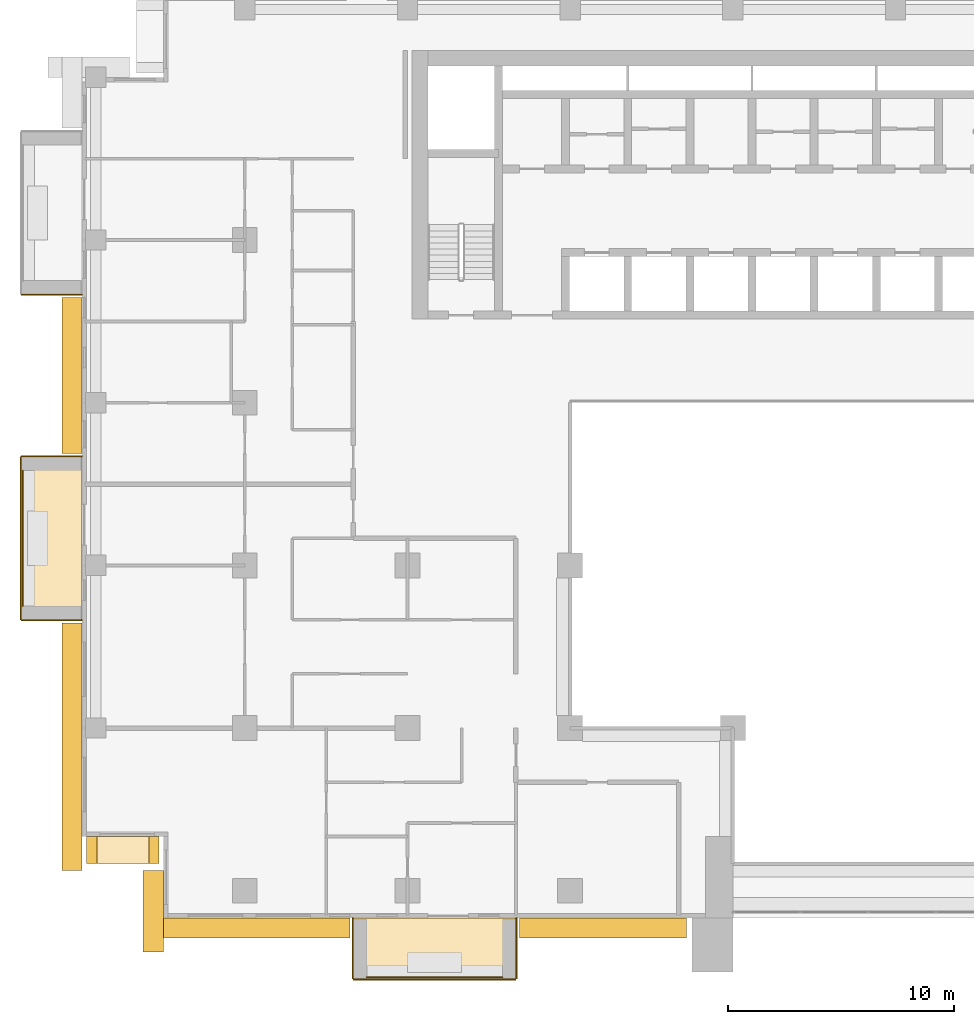
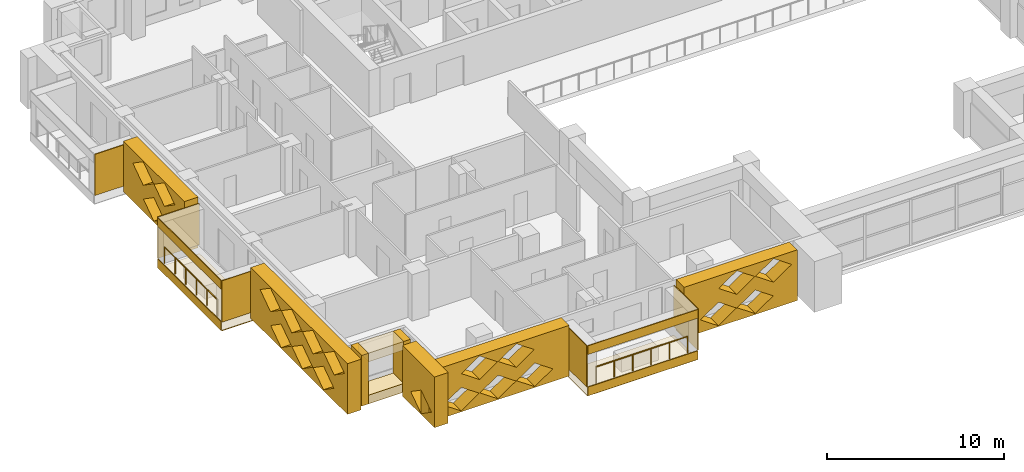
# One storey, part 14 of 20: 20 coverings, 2 railings.
"""IFC4 building model written with IfcOpenShell, lengths in metres."""

from ifc_helpers import new_model, si_unit, direction, frame, origin, origin_2d, place, context, subcontext, project, spatial, polyline, circle, outline, extrude, material, layer, layer_set, type_object, element, save


model = new_model("IFC4")

# Units and contexts
model_context = context("Model", 3, precision=1e-05, world=origin(), true_north=direction((0.0, 1.0)))
body_context = subcontext(model_context, "Body", "Model", "MODEL_VIEW")
ifc_project = project(units=[si_unit("LENGTHUNIT", "METRE"), si_unit("AREAUNIT", "SQUARE_METRE"), si_unit("VOLUMEUNIT", "CUBIC_METRE"), si_unit("PLANEANGLEUNIT", "RADIAN"), si_unit("MASSUNIT", "GRAM", prefix="KILO")], contexts=[model_context])

# Site, building, storey
site_placement = place(None, origin())
site = spatial("IfcSite", under=ifc_project, at=site_placement, CompositionType="ELEMENT")
building_placement = place(site_placement, origin())
building = spatial("IfcBuilding", under=site, at=building_placement, Name="Saffron Iwan Residences", CompositionType="ELEMENT")
storey_placement = place(building_placement, frame((0.0, 0.0, 123.5)))
storey = spatial("IfcBuildingStorey", under=building, at=storey_placement, Name="L32", CompositionType="ELEMENT", Elevation=123.5)

# Railings
ifc_material_1 = material(Name="Stainless steel 316", Category="steel")
railing_type = type_object("IfcRailingType", Name="BALCONY GUARD 1150", PredefinedType="GUARDRAIL", material=ifc_material_1)
railing_1_placement = place(storey_placement, frame((11.77490234375, 59.39990234375, 0.0)))
element("IfcRailing", 1, at=railing_1_placement, inside=storey, type_object=railing_type, Name="Balcony guard L32 F8-1", PredefinedType="GUARDRAIL", context=body_context, shape_type="SweptSolid", body=[
    extrude(circle(Radius=0.02392578125, at=origin_2d()), frame((0.0, 0.0, 1.1259765625), z_axis=(0.0, -1.0, 0.0), x_axis=(1.0, 0.0, 0.0)), (0.0, 0.0, 1.0), 6.0),
    extrude(circle(Radius=0.02099609375, at=origin_2d()), origin(), (0.0, 0.0, 1.0), 1.101806640625),
    extrude(circle(Radius=0.02099609375, at=origin_2d()), frame((0.0, -1.199951171875, 0.0)), (0.0, 0.0, 1.0), 1.101806640625),
    extrude(circle(Radius=0.02099609375, at=origin_2d()), frame((0.0, -2.39990234375, 0.0)), (0.0, 0.0, 1.0), 1.101806640625),
    extrude(circle(Radius=0.02099609375, at=origin_2d()), frame((0.0, -3.60009765625, 0.0)), (0.0, 0.0, 1.0), 1.101806640625),
    extrude(circle(Radius=0.02099609375, at=origin_2d()), frame((0.0, -4.800048828125, 0.0)), (0.0, 0.0, 1.0), 1.101806640625),
    extrude(circle(Radius=0.02099609375, at=origin_2d()), frame((0.0, -6.0, 0.0)), (0.0, 0.0, 1.0), 1.101806640625),
])
railing_2_placement = place(storey_placement, frame((27.0, 36.97509765625, 0.0)))
element("IfcRailing", 2, at=railing_2_placement, inside=storey, type_object=railing_type, Name="Balcony guard L32 11-0", PredefinedType="GUARDRAIL", context=body_context, shape_type="SweptSolid", body=[
    extrude(circle(Radius=0.02392578125, at=origin_2d()), frame((0.0, 0.0, 1.1259765625), z_axis=(1.0, 0.0, 0.0), x_axis=(0.0, 1.0, 0.0)), (0.0, 0.0, 1.0), 6.0),
    extrude(circle(Radius=0.02099609375, at=origin_2d()), origin(), (0.0, 0.0, 1.0), 1.101806640625),
    extrude(circle(Radius=0.02099609375, at=origin_2d()), frame((1.199951171875, 0.0, 0.0)), (0.0, 0.0, 1.0), 1.101806640625),
    extrude(circle(Radius=0.02099609375, at=origin_2d()), frame((2.39990234375, 0.0, 0.0)), (0.0, 0.0, 1.0), 1.101806640625),
    extrude(circle(Radius=0.02099609375, at=origin_2d()), frame((3.60009765625, 0.0, 0.0)), (0.0, 0.0, 1.0), 1.101806640625),
    extrude(circle(Radius=0.02099609375, at=origin_2d()), frame((4.800048828125, 0.0, 0.0)), (0.0, 0.0, 1.0), 1.101806640625),
    extrude(circle(Radius=0.02099609375, at=origin_2d()), frame((6.0, 0.0, 0.0)), (0.0, 0.0, 1.0), 1.101806640625),
])

# Coverings
ifc_material_2 = material(Name="Precast concrete C40/50 white painted", Category="concrete")
ifc_layer = layer(ifc_material_2, 0.050048828125)
ifc_layer_set = layer_set([ifc_layer], Name="Precast concrete C40/50 white painted")
covering_type_1 = type_object("IfcCoveringType", Name="FRAME SKIN PRECAST WHITE 50", PredefinedType="CLADDING", material=ifc_layer_set)
covering_1_placement = place(storey_placement, origin())
element("IfcCovering", 3, at=covering_1_placement, inside=storey, type_object=covering_type_1, Name="Frame skin fin L32 F8-0b", PredefinedType="CLADDING", context=body_context, shape_type="SweptSolid", body=[
    extrude(outline(polyline([(11.699951171875, 67.199951171875), (11.699951171875, 67.14990234375), (14.39990234375, 67.14990234375), (14.39990234375, 67.199951171875), (11.699951171875, 67.199951171875)])), origin(), (0.0, 0.0, 1.0), 2.85009765625),
])
for number, where, name in (
    (4, (0.0, 0.0, -0.60009765625), "Frame skin slab edge L32 F8-1"),
    (5, (0.0, 0.0, 2.25), "Frame skin fascia L32 F8-1"),
):
    element("IfcCovering", number, at=place(storey_placement, frame(where)), inside=storey, type_object=covering_type_1, Name=name, PredefinedType="CLADDING", context=body_context, shape_type="SweptSolid", body=[
        extrude(outline(polyline([(11.64990234375, 60.0), (11.64990234375, 52.800048828125), (11.699951171875, 52.800048828125), (11.699951171875, 60.0), (11.64990234375, 60.0)])), origin(), (0.0, 0.0, 1.0), 0.60009765625),
    ])
covering_2_placement = place(storey_placement, frame((0.0, 0.0, -0.64990234375)))
element("IfcCovering", 6, at=covering_2_placement, inside=storey, type_object=covering_type_1, Name="Frame skin soffit L32 F8-1", PredefinedType="CLADDING", context=body_context, shape_type="SweptSolid", body=[
    extrude(outline(polyline([(11.699951171875, 60.0), (11.699951171875, 52.800048828125), (14.39990234375, 52.800048828125), (14.39990234375, 60.0), (11.699951171875, 60.0)])), origin(), (0.0, 0.0, 1.0), 0.0498046875),
])
covering_3_placement = place(storey_placement, origin())
element("IfcCovering", 7, at=covering_3_placement, inside=storey, type_object=covering_type_1, Name="Frame skin fin L32 F8-1a", PredefinedType="CLADDING", context=body_context, shape_type="SweptSolid", body=[
    extrude(outline(polyline([(11.699951171875, 60.050048828125), (11.699951171875, 60.0), (14.39990234375, 60.0), (14.39990234375, 60.050048828125), (11.699951171875, 60.050048828125)])), origin(), (0.0, 0.0, 1.0), 2.85009765625),
])
covering_4_placement = place(storey_placement, origin())
element("IfcCovering", 8, at=covering_4_placement, inside=storey, type_object=covering_type_1, Name="Frame skin fin L32 F8-1b", PredefinedType="CLADDING", context=body_context, shape_type="SweptSolid", body=[
    extrude(outline(polyline([(11.699951171875, 52.800048828125), (11.699951171875, 52.75), (14.39990234375, 52.75), (14.39990234375, 52.800048828125), (11.699951171875, 52.800048828125)])), origin(), (0.0, 0.0, 1.0), 2.85009765625),
])
for number, where, name in (
    (9, (0.0, 0.0, -0.60009765625), "Frame skin slab edge L32 11-0"),
    (10, (0.0, 0.0, 2.25), "Frame skin fascia L32 11-0"),
):
    element("IfcCovering", number, at=place(storey_placement, frame(where)), inside=storey, type_object=covering_type_1, Name=name, PredefinedType="CLADDING", context=body_context, shape_type="SweptSolid", body=[
        extrude(outline(polyline([(26.39990234375, 36.85009765625), (33.60009765625, 36.85009765625), (33.60009765625, 36.89990234375), (26.39990234375, 36.89990234375), (26.39990234375, 36.85009765625)])), origin(), (0.0, 0.0, 1.0), 0.60009765625),
    ])
covering_5_placement = place(storey_placement, frame((0.0, 0.0, -0.64990234375)))
element("IfcCovering", 11, at=covering_5_placement, inside=storey, type_object=covering_type_1, Name="Frame skin soffit L32 11-0", PredefinedType="CLADDING", context=body_context, shape_type="SweptSolid", body=[
    extrude(outline(polyline([(26.39990234375, 36.89990234375), (33.60009765625, 36.89990234375), (33.60009765625, 39.60009765625), (26.39990234375, 39.60009765625), (26.39990234375, 36.89990234375)])), origin(), (0.0, 0.0, 1.0), 0.0498046875),
])
covering_6_placement = place(storey_placement, origin())
element("IfcCovering", 12, at=covering_6_placement, inside=storey, type_object=covering_type_1, Name="Frame skin fin L32 11-0a", PredefinedType="CLADDING", context=body_context, shape_type="SweptSolid", body=[
    extrude(outline(polyline([(26.35009765625, 36.89990234375), (26.39990234375, 36.89990234375), (26.39990234375, 39.60009765625), (26.35009765625, 39.60009765625), (26.35009765625, 36.89990234375)])), origin(), (0.0, 0.0, 1.0), 2.85009765625),
])
covering_7_placement = place(storey_placement, origin())
element("IfcCovering", 13, at=covering_7_placement, inside=storey, type_object=covering_type_1, Name="Frame skin fin L32 11-0b", PredefinedType="CLADDING", context=body_context, shape_type="SweptSolid", body=[
    extrude(outline(polyline([(33.60009765625, 36.89990234375), (33.64990234375, 36.89990234375), (33.64990234375, 39.60009765625), (33.60009765625, 39.60009765625), (33.60009765625, 36.89990234375)])), origin(), (0.0, 0.0, 1.0), 2.85009765625),
])
ifc_material_3 = material(Name="Precast concrete C40/50", Category="concrete")
covering_type_2 = type_object("IfcCoveringType", Name="OUTER SKIN LATTICE SCREEN", PredefinedType="CLADDING", material=ifc_material_3)
covering_8_placement = place(storey_placement, frame((14.39990234375, 67.050048828125, -0.300048828125), z_axis=(-1.0, 0.0, 0.0), x_axis=(0.0, -1.0, 0.0)))
element("IfcCovering", 14, at=covering_8_placement, inside=storey, type_object=covering_type_2, Name="OUTER SKIN lattice screen L32 F8.1", PredefinedType="CLADDING", context=body_context, shape_type="SweptSolid", body=[
    extrude(outline(polyline([(0.0, 0.0), (6.89990234375, 0.0), (6.89990234375, 3.5), (0.0, 3.5), (0.0, 0.0)]), holes=[polyline([(2.27001953125, 0.875), (3.449951171875, 0.06005859375), (4.6298828125, 0.875), (3.449951171875, 1.68994140625), (2.27001953125, 0.875)]), polyline([(1.070068359375, 2.625), (2.25, 1.81005859375), (3.429931640625, 2.625), (2.25, 3.43994140625), (1.070068359375, 2.625)]), polyline([(3.469970703125, 2.625), (4.64990234375, 1.81005859375), (5.830078125, 2.625), (4.64990234375, 3.43994140625), (3.469970703125, 2.625)])]), origin(), (0.0, 0.0, 1.0), 0.89990234375),
])
covering_9_placement = place(storey_placement, frame((14.39990234375, 52.64990234375, -0.300048828125), z_axis=(-1.0, 0.0, 0.0), x_axis=(0.0, -1.0, 0.0)))
element("IfcCovering", 15, at=covering_9_placement, inside=storey, type_object=covering_type_2, Name="OUTER SKIN lattice screen L32 F8.2", PredefinedType="CLADDING", context=body_context, shape_type="SweptSolid", body=[
    extrude(outline(polyline([(0.0, 0.0), (10.949951171875, 0.0), (10.949951171875, 3.5), (0.0, 3.5), (0.0, 0.0)]), holes=[polyline([(2.27001953125, 0.875), (3.449951171875, 0.06005859375), (4.6298828125, 0.875), (3.449951171875, 1.68994140625), (2.27001953125, 0.875)]), polyline([(4.669921875, 0.875), (5.85009765625, 0.06005859375), (7.030029296875, 0.875), (5.85009765625, 1.68994140625), (4.669921875, 0.875)]), polyline([(7.070068359375, 0.875), (8.25, 0.06005859375), (9.429931640625, 0.875), (8.25, 1.68994140625), (7.070068359375, 0.875)]), polyline([(1.070068359375, 2.625), (2.25, 1.81005859375), (3.429931640625, 2.625), (2.25, 3.43994140625), (1.070068359375, 2.625)]), polyline([(3.469970703125, 2.625), (4.64990234375, 1.81005859375), (5.830078125, 2.625), (4.64990234375, 3.43994140625), (3.469970703125, 2.625)]), polyline([(5.8701171875, 2.625), (7.050048828125, 1.81005859375), (8.22998046875, 2.625), (7.050048828125, 3.43994140625), (5.8701171875, 2.625)]), polyline([(8.27001953125, 2.625), (9.449951171875, 1.81005859375), (10.6298828125, 2.625), (9.449951171875, 3.43994140625), (8.27001953125, 2.625)])]), origin(), (0.0, 0.0, 1.0), 0.89990234375),
])
covering_10_placement = place(storey_placement, frame((18.0, 41.699951171875, -0.300048828125), z_axis=(-1.0, 0.0, 0.0), x_axis=(0.0, -1.0, 0.0)))
element("IfcCovering", 16, at=covering_10_placement, inside=storey, type_object=covering_type_2, Name="OUTER SKIN lattice screen L32 F10.0", PredefinedType="CLADDING", context=body_context, shape_type="SweptSolid", body=[
    extrude(outline(polyline([(0.0, 0.0), (3.60009765625, 0.0), (3.60009765625, 3.5), (0.0, 3.5), (0.0, 0.0)]), holes=[polyline([(0.919921875, 0.875), (2.10009765625, 0.06005859375), (3.280029296875, 0.875), (2.10009765625, 1.68994140625), (0.919921875, 0.875)])]), origin(), (0.0, 0.0, 1.0), 0.89990234375),
])
covering_11_placement = place(storey_placement, frame((17.10009765625, 39.60009765625, -0.300048828125), z_axis=(0.0, -1.0, 0.0), x_axis=(1.0, 0.0, 0.0)))
element("IfcCovering", 17, at=covering_11_placement, inside=storey, type_object=covering_type_2, Name="OUTER SKIN lattice screen L32 F11.0", PredefinedType="CLADDING", context=body_context, shape_type="SweptSolid", body=[
    extrude(outline(polyline([(0.0, 0.0), (9.14990234375, 0.0), (9.14990234375, 3.5), (0.0, 3.5), (0.0, 0.0)]), holes=[polyline([(0.919921875, 0.875), (2.10009765625, 0.06005859375), (3.280029296875, 0.875), (2.10009765625, 1.68994140625), (0.919921875, 0.875)]), polyline([(3.320068359375, 0.875), (4.5, 0.06005859375), (5.679931640625, 0.875), (4.5, 1.68994140625), (3.320068359375, 0.875)]), polyline([(5.719970703125, 0.875), (6.89990234375, 0.06005859375), (8.080078125, 0.875), (6.89990234375, 1.68994140625), (5.719970703125, 0.875)]), polyline([(2.1201171875, 2.625), (3.300048828125, 1.81005859375), (4.47998046875, 2.625), (3.300048828125, 3.43994140625), (2.1201171875, 2.625)]), polyline([(4.52001953125, 2.625), (5.699951171875, 1.81005859375), (6.8798828125, 2.625), (5.699951171875, 3.43994140625), (4.52001953125, 2.625)])]), origin(), (0.0, 0.0, 1.0), 0.900146484375),
])
covering_12_placement = place(storey_placement, frame((33.75, 39.60009765625, -0.300048828125), z_axis=(0.0, -1.0, 0.0), x_axis=(1.0, 0.0, 0.0)))
element("IfcCovering", 18, at=covering_12_placement, inside=storey, type_object=covering_type_2, Name="OUTER SKIN lattice screen L32 F11.1", PredefinedType="CLADDING", context=body_context, shape_type="SweptSolid", body=[
    extrude(outline(polyline([(0.0, 0.0), (7.39990234375, 0.0), (7.39990234375, 3.5), (0.0, 3.5), (0.0, 0.0)]), holes=[polyline([(1.070068359375, 0.875), (2.25, 0.06005859375), (3.429931640625, 0.875), (2.25, 1.68994140625), (1.070068359375, 0.875)]), polyline([(3.469970703125, 0.875), (4.64990234375, 0.06005859375), (5.830078125, 0.875), (4.64990234375, 1.68994140625), (3.469970703125, 0.875)]), polyline([(2.27001953125, 2.625), (3.449951171875, 1.81005859375), (4.6298828125, 2.625), (3.449951171875, 3.43994140625), (2.27001953125, 2.625)]), polyline([(4.669921875, 2.625), (5.85009765625, 1.81005859375), (7.030029296875, 2.625), (5.85009765625, 3.43994140625), (4.669921875, 2.625)])]), origin(), (0.0, 0.0, 1.0), 0.900146484375),
])
covering_type_3 = type_object("IfcCoveringType", Name="WHITE SUN FRAME PRECAST", PredefinedType="CLADDING", material=ifc_material_2)
for number, where, z_axis, x_axis, name in (
    (19, (14.60009765625, 43.199951171875, -0.300048828125), (0.0, -1.0, 0.0), (1.0, 0.0, 0.0), "Sun frame L32 F9 0.2a"),
    (20, (17.35009765625, 43.199951171875, -0.300048828125), (0.0, -1.0, 0.0), (1.0, 0.0, 0.0), "Sun frame L32 F9 0.2b"),
):
    element("IfcCovering", number, at=place(storey_placement, frame(where, z_axis=z_axis, x_axis=x_axis)), inside=storey, type_object=covering_type_3, Name=name, PredefinedType="CLADDING", context=body_context, shape_type="SweptSolid", body=[
        extrude(outline(polyline([(0.0, 0.0), (0.449951171875, 0.0), (0.449951171875, 3.5), (0.0, 3.5), (0.0, 0.0)])), origin(), (0.0, 0.0, 1.0), 1.199951171875),
    ])
for number, where, z_axis, x_axis, name in (
    (21, (15.050048828125, 43.199951171875, 2.60009765625), (0.0, -1.0, 0.0), (1.0, 0.0, 0.0), "Sun frame L32 F9 0.2h"),
    (22, (15.050048828125, 43.199951171875, -0.300048828125), (0.0, -1.0, 0.0), (1.0, 0.0, 0.0), "Sun frame L32 F9 0.2s"),
):
    element("IfcCovering", number, at=place(storey_placement, frame(where, z_axis=z_axis, x_axis=x_axis)), inside=storey, type_object=covering_type_3, Name=name, PredefinedType="CLADDING", context=body_context, shape_type="SweptSolid", body=[
        extrude(outline(polyline([(0.0, 0.0), (2.300048828125, 0.0), (2.300048828125, 0.60009765625), (0.0, 0.60009765625), (0.0, 0.0)])), origin(), (0.0, 0.0, 1.0), 1.199951171875),
    ])

save(model, "model.ifc")
